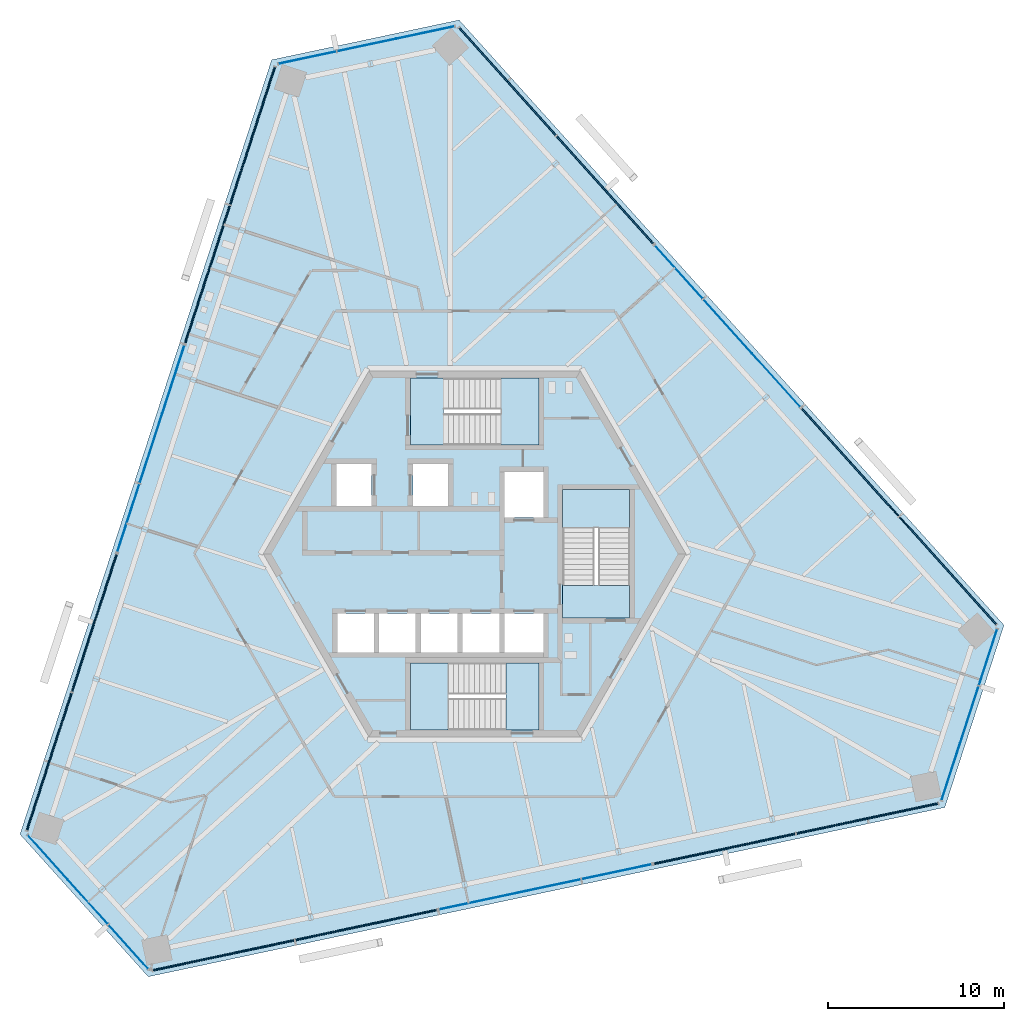
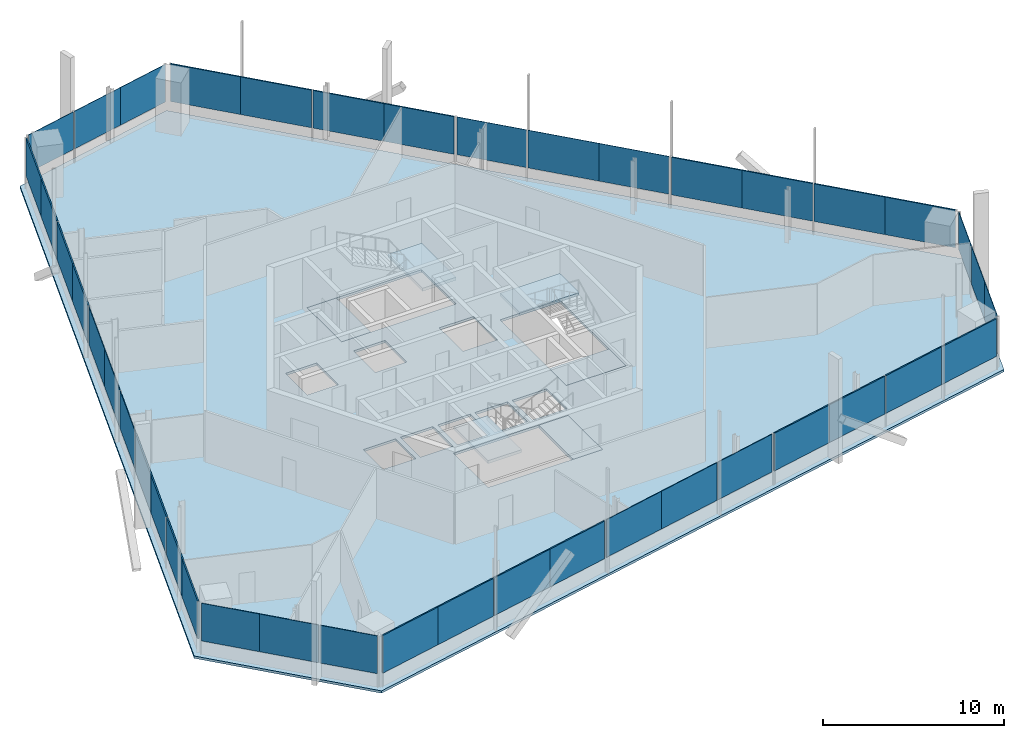
# One storey, part 8 of 16: 42 plates, 7 slabs, 15 elements without a shape of their own.
"""IFC4 building model written with IfcOpenShell, lengths in metres."""

from ifc_helpers import new_model, si_unit, direction, frame, origin, origin_2d, place, context, subcontext, project, spatial, polyline, rectangle, outline, extrude, source, transform, mapped, material, layer, layer_set, type_object, element, aggregate, save


model = new_model("IFC4")

# Units and contexts
model_context = context("Model", 3, precision=1e-05, world=origin(), true_north=direction((0.0, 1.0)))
body_context = subcontext(model_context, "Body", "Model", "MODEL_VIEW")
ifc_project = project(units=[si_unit("LENGTHUNIT", "METRE"), si_unit("AREAUNIT", "SQUARE_METRE"), si_unit("VOLUMEUNIT", "CUBIC_METRE"), si_unit("PLANEANGLEUNIT", "RADIAN"), si_unit("MASSUNIT", "GRAM", prefix="KILO")], contexts=[model_context])

# Site, building, storey
site_placement = place(None, origin())
site = spatial("IfcSite", under=ifc_project, at=site_placement, CompositionType="ELEMENT")
building_placement = place(site_placement, origin())
building = spatial("IfcBuilding", under=site, at=building_placement, Name="Triune Harvest Tower", CompositionType="ELEMENT")
storey_placement = place(building_placement, frame((0.0, 0.0, 266.699951171875)))
storey = spatial("IfcBuildingStorey", under=building, at=storey_placement, Name="L70", CompositionType="ELEMENT", Elevation=266.699951171875)

# Slab
ifc_material_1 = material(Name="Concrete 40 MPa", Category="concrete")
ifc_layer_1 = layer(ifc_material_1, 0.159912109375)
ifc_layer_set_1 = layer_set([ifc_layer_1], Name="Concrete 40 MPa")
slab_type_1 = type_object("IfcSlabType", Name="SL-1 Composite floor slab 160", PredefinedType="FLOOR", material=ifc_layer_set_1)
shared_shape_1 = source(origin(), body_context, "Body", "SweptSolid", [
    extrude(outline(polyline([(30.05810546875, -4.04638671875), (-0.88232421875, 30.31640625), (-11.524658203125, 28.054443359375), (-25.813720703125, -15.922607421875), (-18.533447265625, -24.0078125), (26.696044921875, -14.39404296875), (30.05810546875, -4.04638671875)]), holes=[polyline([(-5.72509765625, -5.590087890625), (-5.72509765625, -3.389892578125), (-7.800048828125, -3.389892578125), (-7.800048828125, -5.590087890625), (-5.72509765625, -5.590087890625)]), polyline([(-3.35009765625, -5.590087890625), (-3.35009765625, -3.389892578125), (-5.425048828125, -3.389892578125), (-5.425048828125, -5.590087890625), (-3.35009765625, -5.590087890625)]), polyline([(-0.97509765625, -5.590087890625), (-0.97509765625, -3.389892578125), (-3.050048828125, -3.389892578125), (-3.050048828125, -5.590087890625), (-0.97509765625, -5.590087890625)]), polyline([(1.39990234375, -5.590087890625), (1.39990234375, -3.389892578125), (-0.675048828125, -3.389892578125), (-0.675048828125, -5.590087890625), (1.39990234375, -5.590087890625)]), polyline([(3.89990234375, 2.06005859375), (3.89990234375, 4.659912109375), (1.699951171875, 4.659912109375), (1.699951171875, 2.06005859375), (3.89990234375, 2.06005859375)]), polyline([(3.89990234375, -5.590087890625), (3.89990234375, -3.389892578125), (1.699951171875, -3.389892578125), (1.699951171875, -5.590087890625), (3.89990234375, -5.590087890625)]), polyline([(-5.85009765625, 2.7099609375), (-5.85009765625, 5.110107421875), (-7.85009765625, 5.110107421875), (-7.85009765625, 2.7099609375), (-5.85009765625, 2.7099609375)]), polyline([(-1.5, 2.7099609375), (-1.5, 5.110107421875), (-3.5, 5.110107421875), (-3.5, 2.7099609375), (-1.5, 2.7099609375)]), polyline([(3.64990234375, 6.18994140625), (3.64990234375, 9.989990234375), (-3.64990234375, 9.989990234375), (-3.64990234375, 6.18994140625), (3.64990234375, 6.18994140625)]), polyline([(3.64990234375, -9.989990234375), (3.64990234375, -6.18994140625), (-3.64990234375, -6.18994140625), (-3.64990234375, -9.989990234375), (3.64990234375, -9.989990234375)]), polyline([(8.800048828125, -3.64990234375), (8.800048828125, 3.64990234375), (5.0, 3.64990234375), (5.0, -3.64990234375), (8.800048828125, -3.64990234375)])]), origin(), (0.0, 0.0, 1.0), 0.159912109375),
])
slab_1_placement = place(storey_placement, frame((0.0, 0.0, -0.159912109375)))
element("IfcSlab", 1, at=slab_1_placement, inside=storey, type_object=slab_type_1, Name="slab/L70/1", PredefinedType="FLOOR", context=body_context, shape_type="MappedRepresentation", body=[
    mapped(shared_shape_1, transform((0.0, 0.0, 0.0), scale=1.0)),
])

# Stair, slabs
ifc_material_2 = material(Name="Concrete 40 MPa", Category="concrete")
stair_type = type_object("IfcStairType", Name="Exit stair 1800 half turn", PredefinedType="HALF_TURN_STAIR", material=ifc_material_2)
stair_1_placement = place(storey_placement, origin())
stair_1 = element("IfcStair", 2, at=stair_1_placement, inside=storey, type_object=stair_type, Name="Exit stair north", PredefinedType="HALF_TURN_STAIR")
ifc_material_3 = material(Name="Concrete 40 MPa", Category="concrete")
ifc_layer_2 = layer(ifc_material_3, 0.199951171875)
ifc_layer_set_2 = layer_set([ifc_layer_2], Name="Concrete 40 MPa")
slab_type_2 = type_object("IfcSlabType", Name="Stair landing 200", PredefinedType="LANDING", material=ifc_layer_set_2)
shared_shape_2 = source(origin(), body_context, "Body", "SweptSolid", [
    extrude(outline(polyline([(1.510009765625, 6.18994140625), (3.64990234375, 6.18994140625), (3.64990234375, 9.989990234375), (1.510009765625, 9.989990234375), (1.510009765625, 6.18994140625)])), origin(), (0.0, 0.0, 1.0), 0.199951171875),
])
slab_2_placement = place(storey_placement, frame((0.0, 0.0, 1.60009765625)))
slab_2 = element("IfcSlab", 3, at=slab_2_placement, type_object=slab_type_2, Name="ST-1 landing 2", PredefinedType="LANDING", context=body_context, shape_type="MappedRepresentation", body=[
    mapped(shared_shape_2, transform((0.0, 0.0, 0.0), scale=1.0)),
])
shared_shape_3 = source(origin(), body_context, "Body", "SweptSolid", [
    extrude(outline(polyline([(-3.64990234375, 6.18994140625), (-1.780029296875, 6.18994140625), (-1.780029296875, 9.989990234375), (-3.64990234375, 9.989990234375), (-3.64990234375, 6.18994140625)])), origin(), (0.0, 0.0, 1.0), 0.199951171875),
])
slab_3_placement = place(storey_placement, frame((0.0, 0.0, -0.199951171875)))
slab_3 = element("IfcSlab", 4, at=slab_3_placement, type_object=slab_type_2, Name="ST-1 landing 1", PredefinedType="LANDING", context=body_context, shape_type="MappedRepresentation", body=[
    mapped(shared_shape_3, transform((0.0, 0.0, 0.0), scale=1.0)),
])
aggregate(stair_1, [slab_3, slab_2])

stair_2_placement = place(storey_placement, origin())
stair_2 = element("IfcStair", 5, at=stair_2_placement, inside=storey, type_object=stair_type, Name="Exit stair south", PredefinedType="HALF_TURN_STAIR")
shared_shape_4 = source(origin(), body_context, "Body", "SweptSolid", [
    extrude(outline(polyline([(-1.510009765625, -6.18994140625), (-3.64990234375, -6.18994140625), (-3.64990234375, -9.989990234375), (-1.510009765625, -9.989990234375), (-1.510009765625, -6.18994140625)])), origin(), (0.0, 0.0, 1.0), 0.199951171875),
])
slab_4_placement = place(storey_placement, frame((0.0, 0.0, 1.60009765625)))
slab_4 = element("IfcSlab", 6, at=slab_4_placement, type_object=slab_type_2, Name="ST-2 landing 2", PredefinedType="LANDING", context=body_context, shape_type="MappedRepresentation", body=[
    mapped(shared_shape_4, transform((0.0, 0.0, 0.0), scale=1.0)),
])
shared_shape_5 = source(origin(), body_context, "Body", "SweptSolid", [
    extrude(outline(polyline([(3.64990234375, -6.18994140625), (1.780029296875, -6.18994140625), (1.780029296875, -9.989990234375), (3.64990234375, -9.989990234375), (3.64990234375, -6.18994140625)])), origin(), (0.0, 0.0, 1.0), 0.199951171875),
])
slab_5_placement = place(storey_placement, frame((0.0, 0.0, -0.199951171875)))
slab_5 = element("IfcSlab", 7, at=slab_5_placement, type_object=slab_type_2, Name="ST-2 landing 1", PredefinedType="LANDING", context=body_context, shape_type="MappedRepresentation", body=[
    mapped(shared_shape_5, transform((0.0, 0.0, 0.0), scale=1.0)),
])
aggregate(stair_2, [slab_5, slab_4])

stair_3_placement = place(storey_placement, origin())
stair_3 = element("IfcStair", 8, at=stair_3_placement, inside=storey, type_object=stair_type, Name="Exit stair east", PredefinedType="HALF_TURN_STAIR")
shared_shape_6 = source(origin(), body_context, "Body", "SweptSolid", [
    extrude(outline(polyline([(8.800048828125, 1.510009765625), (8.800048828125, 3.64990234375), (5.0, 3.64990234375), (5.0, 1.510009765625), (8.800048828125, 1.510009765625)])), origin(), (0.0, 0.0, 1.0), 0.199951171875),
])
slab_6_placement = place(storey_placement, frame((0.0, 0.0, 1.60009765625)))
slab_6 = element("IfcSlab", 9, at=slab_6_placement, type_object=slab_type_2, Name="ST-3 landing 2", PredefinedType="LANDING", context=body_context, shape_type="MappedRepresentation", body=[
    mapped(shared_shape_6, transform((0.0, 0.0, 0.0), scale=1.0)),
])
shared_shape_7 = source(origin(), body_context, "Body", "SweptSolid", [
    extrude(outline(polyline([(8.800048828125, -3.64990234375), (8.800048828125, -1.780029296875), (5.0, -1.780029296875), (5.0, -3.64990234375), (8.800048828125, -3.64990234375)])), origin(), (0.0, 0.0, 1.0), 0.199951171875),
])
slab_7_placement = place(storey_placement, frame((0.0, 0.0, -0.199951171875)))
slab_7 = element("IfcSlab", 10, at=slab_7_placement, type_object=slab_type_2, Name="ST-3 landing 1", PredefinedType="LANDING", context=body_context, shape_type="MappedRepresentation", body=[
    mapped(shared_shape_7, transform((0.0, 0.0, 0.0), scale=1.0)),
])
aggregate(stair_3, [slab_7, slab_6])

# Curtain wall, plate
ifc_material_4 = material(Name="Aluminium bronze anodised", Category="aluminium")
curtain_wall_type_1 = type_object("IfcCurtainWallType", Name="CW-1 Tower stick curtain wall", PredefinedType="NOTDEFINED", material=ifc_material_4)
curtain_wall_1_placement = place(storey_placement, origin())
curtain_wall_1 = element("IfcCurtainWall", 11, at=curtain_wall_1_placement, inside=storey, type_object=curtain_wall_type_1, Name="CW-1 B7-F2 L70 run 1")
ifc_material_5 = material(Name="Glass", Category="glass")
ifc_layer_3 = layer(ifc_material_5, 0.031982421875)
ifc_layer_set_3 = layer_set([ifc_layer_3], Name="Glass")
plate_type_1 = type_object("IfcPlateType", Name="GL-1 panel 32", PredefinedType="CURTAIN_PANEL", material=ifc_layer_set_3)
shared_shape_8 = source(origin(), body_context, "Body", "SweptSolid", [
    extrude(rectangle(XDim=3.376220703125, YDim=0.031982421875, at=origin_2d()), origin(), (0.0, 0.0, 1.0), 2.5400390625),
])
plate_1_placement = place(storey_placement, frame((-2.802001953125, 29.601806640625, 0.900146484375), z_axis=(0.0, 0.0, 1.0), x_axis=(-0.978149078297, -0.207904739307, 0.0)))
plate_1 = element("IfcPlate", 12, at=plate_1_placement, type_object=plate_type_1, Name="CW-1 panel B7-F2 1.1", PredefinedType="CURTAIN_PANEL", context=body_context, shape_type="MappedRepresentation", body=[
    mapped(shared_shape_8, transform((0.0, 0.0, 0.0), scale=1.0)),
])

curtain_wall_2_placement = place(storey_placement, origin())
curtain_wall_2 = element("IfcCurtainWall", 13, at=curtain_wall_2_placement, inside=storey, type_object=curtain_wall_type_1, Name="CW-1 B7-F4 L70 run 1")
plate_2_placement = place(storey_placement, frame((-24.23486328125, -17.2275390625, 0.900146484375), z_axis=(0.0, 0.0, 1.0), x_axis=(0.669132031472, -0.743143542297, 0.0)))
plate_2 = element("IfcPlate", 14, at=plate_2_placement, type_object=plate_type_1, Name="CW-1 panel B7-F4 1.1", PredefinedType="CURTAIN_PANEL", context=body_context, shape_type="MappedRepresentation", body=[
    mapped(shared_shape_8, transform((0.0, 0.0, 0.0), scale=1.0)),
])

curtain_wall_3_placement = place(storey_placement, origin())
curtain_wall_3 = element("IfcCurtainWall", 15, at=curtain_wall_3_placement, inside=storey, type_object=curtain_wall_type_1, Name="CW-1 B7-F6 L70 run 1")
plate_3_placement = place(storey_placement, frame((27.036865234375, -12.374267578125, 0.900146484375), z_axis=(0.0, 0.0, 1.0), x_axis=(0.309018882717, 0.951055902733, 0.0)))
plate_3 = element("IfcPlate", 16, at=plate_3_placement, type_object=plate_type_1, Name="CW-1 panel B7-F6 1.1", PredefinedType="CURTAIN_PANEL", context=body_context, shape_type="MappedRepresentation", body=[
    mapped(shared_shape_8, transform((0.0, 0.0, 0.0), scale=1.0)),
])

# Plate
shared_shape_9 = source(origin(), body_context, "Body", "SweptSolid", [
    extrude(rectangle(XDim=3.413818359375, YDim=0.031982421875, at=origin_2d()), origin(), (0.0, 0.0, 1.0), 2.5400390625),
])
plate_4_placement = place(storey_placement, frame((-6.122802734375, 28.89599609375, 0.900146484375), z_axis=(0.0, 0.0, 1.0), x_axis=(-0.978149078297, -0.207904739307, 0.0)))
plate_4 = element("IfcPlate", 17, at=plate_4_placement, type_object=plate_type_1, Name="CW-1 panel B7-F2 1.2", PredefinedType="CURTAIN_PANEL", context=body_context, shape_type="MappedRepresentation", body=[
    mapped(shared_shape_9, transform((0.0, 0.0, 0.0), scale=1.0)),
])

plate_5_placement = place(storey_placement, frame((28.0859375, -9.145263671875, 0.900146484375), z_axis=(0.0, 0.0, 1.0), x_axis=(0.309018882717, 0.951055902733, 0.0)))
plate_5 = element("IfcPlate", 18, at=plate_5_placement, type_object=plate_type_1, Name="CW-1 panel B7-F6 1.2", PredefinedType="CURTAIN_PANEL", context=body_context, shape_type="MappedRepresentation", body=[
    mapped(shared_shape_9, transform((0.0, 0.0, 0.0), scale=1.0)),
])

shared_shape_10 = source(origin(), body_context, "Body", "SweptSolid", [
    extrude(rectangle(XDim=3.338623046875, YDim=0.031982421875, at=origin_2d()), origin(), (0.0, 0.0, 1.0), 2.5400390625),
])
plate_6_placement = place(storey_placement, frame((-9.49853515625, 28.178466796875, 0.900146484375), z_axis=(0.0, 0.0, 1.0), x_axis=(-0.978149078297, -0.207904739307, 0.0)))
plate_6 = element("IfcPlate", 19, at=plate_6_placement, type_object=plate_type_1, Name="CW-1 panel B7-F2 1.3", PredefinedType="CURTAIN_PANEL", context=body_context, shape_type="MappedRepresentation", body=[
    mapped(shared_shape_10, transform((0.0, 0.0, 0.0), scale=1.0)),
])

aggregate(curtain_wall_1, [plate_1, plate_4, plate_6])

plate_7_placement = place(storey_placement, frame((-19.65380859375, -22.315185546875, 0.900146484375), z_axis=(0.0, 0.0, 1.0), x_axis=(0.669132031472, -0.743143542297, 0.0)))
plate_7 = element("IfcPlate", 20, at=plate_7_placement, type_object=plate_type_1, Name="CW-1 panel B7-F4 1.3", PredefinedType="CURTAIN_PANEL", context=body_context, shape_type="MappedRepresentation", body=[
    mapped(shared_shape_10, transform((0.0, 0.0, 0.0), scale=1.0)),
])

plate_8_placement = place(storey_placement, frame((29.152587890625, -5.863037109375, 0.900146484375), z_axis=(0.0, 0.0, 1.0), x_axis=(0.309018882717, 0.951055902733, 0.0)))
plate_8 = element("IfcPlate", 21, at=plate_8_placement, type_object=plate_type_1, Name="CW-1 panel B7-F6 1.3", PredefinedType="CURTAIN_PANEL", context=body_context, shape_type="MappedRepresentation", body=[
    mapped(shared_shape_10, transform((0.0, 0.0, 0.0), scale=1.0)),
])

aggregate(curtain_wall_3, [plate_3, plate_5, plate_8])

shared_shape_11 = source(origin(), body_context, "Body", "SweptSolid", [
    extrude(rectangle(XDim=3.41357421875, YDim=0.031982421875, at=origin_2d()), origin(), (0.0, 0.0, 1.0), 2.5400390625),
])
plate_9_placement = place(storey_placement, frame((-21.963134765625, -19.75048828125, 0.900146484375), z_axis=(0.0, 0.0, 1.0), x_axis=(0.669132031472, -0.743143542297, 0.0)))
plate_9 = element("IfcPlate", 22, at=plate_9_placement, type_object=plate_type_1, Name="CW-1 panel B7-F4 1.2", PredefinedType="CURTAIN_PANEL", context=body_context, shape_type="MappedRepresentation", body=[
    mapped(shared_shape_11, transform((0.0, 0.0, 0.0), scale=1.0)),
])

aggregate(curtain_wall_2, [plate_2, plate_9, plate_7])

# Curtain wall, plates
ifc_material_6 = material(Name="Aluminium bronze anodised", Category="aluminium")
curtain_wall_type_2 = type_object("IfcCurtainWallType", Name="CW-7 Tower stick curtain wall with insulated spandrel infill", PredefinedType="NOTDEFINED", material=ifc_material_6)
curtain_wall_4_placement = place(storey_placement, origin())
curtain_wall_4 = element("IfcCurtainWall", 23, at=curtain_wall_4_placement, inside=storey, type_object=curtain_wall_type_2, Name="CW-7 B7-F1 L70 run 1")
ifc_material_7 = material(Name="Insulated spandrel panel, bronze aluminium pan", Category="aluminium")
ifc_layer_4 = layer(ifc_material_7, 0.080078125)
ifc_layer_set_4 = layer_set([ifc_layer_4], Name="Insulated spandrel panel, bronze aluminium pan")
plate_type_2 = type_object("IfcPlateType", Name="SP-1 insulated spandrel panel 80", PredefinedType="CURTAIN_PANEL", material=ifc_layer_set_4)
shared_shape_12 = source(origin(), body_context, "Body", "SweptSolid", [
    extrude(rectangle(XDim=4.080810546875, YDim=0.080078125, at=origin_2d()), origin(), (0.0, 0.0, 1.0), 2.5400390625),
])
plate_10_placement = place(storey_placement, frame((28.24365234375, -2.4794921875, 0.900146484375), z_axis=(0.0, 0.0, 1.0), x_axis=(-0.66913398018, 0.743141787662, 0.0)))
plate_10 = element("IfcPlate", 24, at=plate_10_placement, type_object=plate_type_2, Name="CW-7 panel B7-F1 1.1", PredefinedType="CURTAIN_PANEL", context=body_context, shape_type="MappedRepresentation", body=[
    mapped(shared_shape_12, transform((0.0, 0.0, 0.0), scale=1.0)),
])
plate_11_placement = place(storey_placement, frame((19.95166015625, 6.729736328125, 0.900146484375), z_axis=(0.0, 0.0, 1.0), x_axis=(-0.66913398018, 0.743141787662, 0.0)))
plate_11 = element("IfcPlate", 25, at=plate_11_placement, type_object=plate_type_2, Name="CW-7 panel B7-F1 1.4", PredefinedType="CURTAIN_PANEL", context=body_context, shape_type="MappedRepresentation", body=[
    mapped(shared_shape_12, transform((0.0, 0.0, 0.0), scale=1.0)),
])

curtain_wall_5_placement = place(storey_placement, origin())
curtain_wall_5 = element("IfcCurtainWall", 26, at=curtain_wall_5_placement, inside=storey, type_object=curtain_wall_type_2, Name="CW-7 B7-F1 L70 run 2001")
plate_12_placement = place(storey_placement, frame((8.7783203125, 19.138916015625, 0.900146484375), z_axis=(0.0, 0.0, 1.0), x_axis=(-0.66913398018, 0.743141787662, 0.0)))
plate_12 = element("IfcPlate", 27, at=plate_12_placement, type_object=plate_type_2, Name="CW-7 panel B7-F1 2001.1", PredefinedType="CURTAIN_PANEL", context=body_context, shape_type="MappedRepresentation", body=[
    mapped(shared_shape_12, transform((0.0, 0.0, 0.0), scale=1.0)),
])
plate_13_placement = place(storey_placement, frame((0.486328125, 28.34814453125, 0.900146484375), z_axis=(0.0, 0.0, 1.0), x_axis=(-0.66913398018, 0.743141787662, 0.0)))
plate_13 = element("IfcPlate", 28, at=plate_13_placement, type_object=plate_type_2, Name="CW-7 panel B7-F1 2001.4", PredefinedType="CURTAIN_PANEL", context=body_context, shape_type="MappedRepresentation", body=[
    mapped(shared_shape_12, transform((0.0, 0.0, 0.0), scale=1.0)),
])

curtain_wall_6_placement = place(storey_placement, origin())
curtain_wall_6 = element("IfcCurtainWall", 29, at=curtain_wall_6_placement, inside=storey, type_object=curtain_wall_type_2, Name="CW-7 B7-F3 L70 run 1")
plate_14_placement = place(storey_placement, frame((-11.974365234375, 25.699462890625, 0.900146484375), z_axis=(0.0, 0.0, 1.0), x_axis=(-0.309013539626, -0.951057638804, 0.0)))
plate_14 = element("IfcPlate", 30, at=plate_14_placement, type_object=plate_type_2, Name="CW-7 panel B7-F3 1.1", PredefinedType="CURTAIN_PANEL", context=body_context, shape_type="MappedRepresentation", body=[
    mapped(shared_shape_12, transform((0.0, 0.0, 0.0), scale=1.0)),
])
plate_15_placement = place(storey_placement, frame((-15.8037109375, 13.91357421875, 0.900146484375), z_axis=(0.0, 0.0, 1.0), x_axis=(-0.309013539626, -0.951057638804, 0.0)))
plate_15 = element("IfcPlate", 31, at=plate_15_placement, type_object=plate_type_2, Name="CW-7 panel B7-F3 1.4", PredefinedType="CURTAIN_PANEL", context=body_context, shape_type="MappedRepresentation", body=[
    mapped(shared_shape_12, transform((0.0, 0.0, 0.0), scale=1.0)),
])

curtain_wall_7_placement = place(storey_placement, origin())
curtain_wall_7 = element("IfcCurtainWall", 32, at=curtain_wall_7_placement, inside=storey, type_object=curtain_wall_type_2, Name="CW-7 B7-F3 L70 run 2001")
plate_16_placement = place(storey_placement, frame((-20.9638671875, -1.96728515625, 0.900146484375), z_axis=(0.0, 0.0, 1.0), x_axis=(-0.309013539626, -0.951057638804, 0.0)))
plate_16 = element("IfcPlate", 33, at=plate_16_placement, type_object=plate_type_2, Name="CW-7 panel B7-F3 2001.1", PredefinedType="CURTAIN_PANEL", context=body_context, shape_type="MappedRepresentation", body=[
    mapped(shared_shape_12, transform((0.0, 0.0, 0.0), scale=1.0)),
])
plate_17_placement = place(storey_placement, frame((-24.793212890625, -13.7529296875, 0.900146484375), z_axis=(0.0, 0.0, 1.0), x_axis=(-0.309013539626, -0.951057638804, 0.0)))
plate_17 = element("IfcPlate", 34, at=plate_17_placement, type_object=plate_type_2, Name="CW-7 panel B7-F3 2001.4", PredefinedType="CURTAIN_PANEL", context=body_context, shape_type="MappedRepresentation", body=[
    mapped(shared_shape_12, transform((0.0, 0.0, 0.0), scale=1.0)),
])

curtain_wall_8_placement = place(storey_placement, origin())
curtain_wall_8 = element("IfcCurtainWall", 35, at=curtain_wall_8_placement, inside=storey, type_object=curtain_wall_type_2, Name="CW-7 B7-F5 L70 run 1")
plate_18_placement = place(storey_placement, frame((-16.269287109375, -23.219970703125, 0.900146484375), z_axis=(0.0, 0.0, 1.0), x_axis=(0.978148253388, 0.2079086203, 0.0)))
plate_18 = element("IfcPlate", 36, at=plate_18_placement, type_object=plate_type_2, Name="CW-7 panel B7-F5 1.1", PredefinedType="CURTAIN_PANEL", context=body_context, shape_type="MappedRepresentation", body=[
    mapped(shared_shape_12, transform((0.0, 0.0, 0.0), scale=1.0)),
])
plate_19_placement = place(storey_placement, frame((-4.147705078125, -20.643310546875, 0.900146484375), z_axis=(0.0, 0.0, 1.0), x_axis=(0.978148253388, 0.2079086203, 0.0)))
plate_19 = element("IfcPlate", 37, at=plate_19_placement, type_object=plate_type_2, Name="CW-7 panel B7-F5 1.4", PredefinedType="CURTAIN_PANEL", context=body_context, shape_type="MappedRepresentation", body=[
    mapped(shared_shape_12, transform((0.0, 0.0, 0.0), scale=1.0)),
])

curtain_wall_9_placement = place(storey_placement, origin())
curtain_wall_9 = element("IfcCurtainWall", 38, at=curtain_wall_9_placement, inside=storey, type_object=curtain_wall_type_2, Name="CW-7 B7-F5 L70 run 2001")
plate_20_placement = place(storey_placement, frame((12.185546875, -17.171630859375, 0.900146484375), z_axis=(0.0, 0.0, 1.0), x_axis=(0.978148253388, 0.2079086203, 0.0)))
plate_20 = element("IfcPlate", 39, at=plate_20_placement, type_object=plate_type_2, Name="CW-7 panel B7-F5 2001.1", PredefinedType="CURTAIN_PANEL", context=body_context, shape_type="MappedRepresentation", body=[
    mapped(shared_shape_12, transform((0.0, 0.0, 0.0), scale=1.0)),
])
plate_21_placement = place(storey_placement, frame((24.30712890625, -14.59521484375, 0.900146484375), z_axis=(0.0, 0.0, 1.0), x_axis=(0.978148253388, 0.2079086203, 0.0)))
plate_21 = element("IfcPlate", 40, at=plate_21_placement, type_object=plate_type_2, Name="CW-7 panel B7-F5 2001.4", PredefinedType="CURTAIN_PANEL", context=body_context, shape_type="MappedRepresentation", body=[
    mapped(shared_shape_12, transform((0.0, 0.0, 0.0), scale=1.0)),
])

# Plate
shared_shape_13 = source(origin(), body_context, "Body", "SweptSolid", [
    extrude(rectangle(XDim=4.1181640625, YDim=0.080078125, at=origin_2d()), origin(), (0.0, 0.0, 1.0), 2.5400390625),
])
plate_22_placement = place(storey_placement, frame((25.50048828125, 0.56689453125, 0.900146484375), z_axis=(0.0, 0.0, 1.0), x_axis=(-0.66913398018, 0.743141787662, 0.0)))
plate_22 = element("IfcPlate", 41, at=plate_22_placement, type_object=plate_type_2, Name="CW-7 panel B7-F1 1.2", PredefinedType="CURTAIN_PANEL", context=body_context, shape_type="MappedRepresentation", body=[
    mapped(shared_shape_13, transform((0.0, 0.0, 0.0), scale=1.0)),
])

plate_23_placement = place(storey_placement, frame((22.69482421875, 3.68310546875, 0.900146484375), z_axis=(0.0, 0.0, 1.0), x_axis=(-0.66913398018, 0.743141787662, 0.0)))
plate_23 = element("IfcPlate", 42, at=plate_23_placement, type_object=plate_type_2, Name="CW-7 panel B7-F1 1.3", PredefinedType="CURTAIN_PANEL", context=body_context, shape_type="MappedRepresentation", body=[
    mapped(shared_shape_13, transform((0.0, 0.0, 0.0), scale=1.0)),
])

aggregate(curtain_wall_4, [plate_10, plate_22, plate_23, plate_11])

plate_24_placement = place(storey_placement, frame((6.035400390625, 22.185302734375, 0.900146484375), z_axis=(0.0, 0.0, 1.0), x_axis=(-0.66913398018, 0.743141787662, 0.0)))
plate_24 = element("IfcPlate", 43, at=plate_24_placement, type_object=plate_type_2, Name="CW-7 panel B7-F1 2001.2", PredefinedType="CURTAIN_PANEL", context=body_context, shape_type="MappedRepresentation", body=[
    mapped(shared_shape_13, transform((0.0, 0.0, 0.0), scale=1.0)),
])

plate_25_placement = place(storey_placement, frame((3.2294921875, 25.301513671875, 0.900146484375), z_axis=(0.0, 0.0, 1.0), x_axis=(-0.66913398018, 0.743141787662, 0.0)))
plate_25 = element("IfcPlate", 44, at=plate_25_placement, type_object=plate_type_2, Name="CW-7 panel B7-F1 2001.3", PredefinedType="CURTAIN_PANEL", context=body_context, shape_type="MappedRepresentation", body=[
    mapped(shared_shape_13, transform((0.0, 0.0, 0.0), scale=1.0)),
])

aggregate(curtain_wall_5, [plate_12, plate_24, plate_25, plate_13])

plate_26_placement = place(storey_placement, frame((-12.25927734375, -22.367431640625, 0.900146484375), z_axis=(0.0, 0.0, 1.0), x_axis=(0.978148253388, 0.2079086203, 0.0)))
plate_26 = element("IfcPlate", 45, at=plate_26_placement, type_object=plate_type_2, Name="CW-7 panel B7-F5 1.2", PredefinedType="CURTAIN_PANEL", context=body_context, shape_type="MappedRepresentation", body=[
    mapped(shared_shape_13, transform((0.0, 0.0, 0.0), scale=1.0)),
])

plate_27_placement = place(storey_placement, frame((-8.15771484375, -21.495849609375, 0.900146484375), z_axis=(0.0, 0.0, 1.0), x_axis=(0.978148253388, 0.2079086203, 0.0)))
plate_27 = element("IfcPlate", 46, at=plate_27_placement, type_object=plate_type_2, Name="CW-7 panel B7-F5 1.3", PredefinedType="CURTAIN_PANEL", context=body_context, shape_type="MappedRepresentation", body=[
    mapped(shared_shape_13, transform((0.0, 0.0, 0.0), scale=1.0)),
])

aggregate(curtain_wall_8, [plate_18, plate_26, plate_27, plate_19])

plate_28_placement = place(storey_placement, frame((16.195556640625, -16.3193359375, 0.900146484375), z_axis=(0.0, 0.0, 1.0), x_axis=(0.978148253388, 0.2079086203, 0.0)))
plate_28 = element("IfcPlate", 47, at=plate_28_placement, type_object=plate_type_2, Name="CW-7 panel B7-F5 2001.2", PredefinedType="CURTAIN_PANEL", context=body_context, shape_type="MappedRepresentation", body=[
    mapped(shared_shape_13, transform((0.0, 0.0, 0.0), scale=1.0)),
])

plate_29_placement = place(storey_placement, frame((20.297119140625, -15.447509765625, 0.900146484375), z_axis=(0.0, 0.0, 1.0), x_axis=(0.978148253388, 0.2079086203, 0.0)))
plate_29 = element("IfcPlate", 48, at=plate_29_placement, type_object=plate_type_2, Name="CW-7 panel B7-F5 2001.3", PredefinedType="CURTAIN_PANEL", context=body_context, shape_type="MappedRepresentation", body=[
    mapped(shared_shape_13, transform((0.0, 0.0, 0.0), scale=1.0)),
])

aggregate(curtain_wall_9, [plate_20, plate_28, plate_29, plate_21])

# Curtain wall, plate
curtain_wall_10_placement = place(storey_placement, origin())
curtain_wall_10 = element("IfcCurtainWall", 49, at=curtain_wall_10_placement, inside=storey, type_object=curtain_wall_type_1, Name="CW-1 B7-F1 L70 run 1001")
shared_shape_14 = source(origin(), body_context, "Body", "SweptSolid", [
    extrude(rectangle(XDim=4.080810546875, YDim=0.031982421875, at=origin_2d()), origin(), (0.0, 0.0, 1.0), 2.5400390625),
])
plate_30_placement = place(storey_placement, frame((17.12060546875, 9.873779296875, 0.900146484375), z_axis=(0.0, 0.0, 1.0), x_axis=(-0.66912469222, 0.743150150549, 0.0)))
plate_30 = element("IfcPlate", 50, at=plate_30_placement, type_object=plate_type_1, Name="CW-1 panel B7-F1 1001.1", PredefinedType="CURTAIN_PANEL", context=body_context, shape_type="MappedRepresentation", body=[
    mapped(shared_shape_14, transform((0.0, 0.0, 0.0), scale=1.0)),
])

curtain_wall_11_placement = place(storey_placement, origin())
curtain_wall_11 = element("IfcCurtainWall", 51, at=curtain_wall_11_placement, inside=storey, type_object=curtain_wall_type_1, Name="CW-1 B7-F3 L70 run 1001")
plate_31_placement = place(storey_placement, frame((-17.111083984375, 9.889892578125, 0.900146484375), z_axis=(0.0, 0.0, 1.0), x_axis=(-0.309023862696, -0.951054284615, 0.0)))
plate_31 = element("IfcPlate", 52, at=plate_31_placement, type_object=plate_type_1, Name="CW-1 panel B7-F3 1001.1", PredefinedType="CURTAIN_PANEL", context=body_context, shape_type="MappedRepresentation", body=[
    mapped(shared_shape_14, transform((0.0, 0.0, 0.0), scale=1.0)),
])

curtain_wall_12_placement = place(storey_placement, origin())
curtain_wall_12 = element("IfcCurtainWall", 53, at=curtain_wall_12_placement, inside=storey, type_object=curtain_wall_type_1, Name="CW-1 B7-F5 L70 run 1001")
plate_32_placement = place(storey_placement, frame((-0.009521484375, -19.763671875, 0.900146484375), z_axis=(0.0, 0.0, 1.0), x_axis=(0.978146414344, 0.207917272266, 0.0)))
plate_32 = element("IfcPlate", 54, at=plate_32_placement, type_object=plate_type_1, Name="CW-1 panel B7-F5 1001.1", PredefinedType="CURTAIN_PANEL", context=body_context, shape_type="MappedRepresentation", body=[
    mapped(shared_shape_14, transform((0.0, 0.0, 0.0), scale=1.0)),
])

# Plate
shared_shape_15 = source(origin(), body_context, "Body", "SweptSolid", [
    extrude(rectangle(XDim=4.1181640625, YDim=0.031982421875, at=origin_2d()), origin(), (0.0, 0.0, 1.0), 2.5400390625),
])
plate_33_placement = place(storey_placement, frame((14.37744140625, 12.92041015625, 0.900146484375), z_axis=(0.0, 0.0, 1.0), x_axis=(-0.66912469222, 0.743150150549, 0.0)))
plate_33 = element("IfcPlate", 55, at=plate_33_placement, type_object=plate_type_1, Name="CW-1 panel B7-F1 1001.2", PredefinedType="CURTAIN_PANEL", context=body_context, shape_type="MappedRepresentation", body=[
    mapped(shared_shape_15, transform((0.0, 0.0, 0.0), scale=1.0)),
])

plate_34_placement = place(storey_placement, frame((-18.378173828125, 5.990966796875, 0.900146484375), z_axis=(0.0, 0.0, 1.0), x_axis=(-0.309023862696, -0.951054284615, 0.0)))
plate_34 = element("IfcPlate", 56, at=plate_34_placement, type_object=plate_type_1, Name="CW-1 panel B7-F3 1001.2", PredefinedType="CURTAIN_PANEL", context=body_context, shape_type="MappedRepresentation", body=[
    mapped(shared_shape_15, transform((0.0, 0.0, 0.0), scale=1.0)),
])

shared_shape_16 = source(origin(), body_context, "Body", "SweptSolid", [
    extrude(rectangle(XDim=4.043212890625, YDim=0.031982421875, at=origin_2d()), origin(), (0.0, 0.0, 1.0), 2.5400390625),
])
plate_35_placement = place(storey_placement, frame((11.596923828125, 16.0087890625, 0.900146484375), z_axis=(0.0, 0.0, 1.0), x_axis=(-0.66912469222, 0.743150150549, 0.0)))
plate_35 = element("IfcPlate", 57, at=plate_35_placement, type_object=plate_type_1, Name="CW-1 panel B7-F1 1001.3", PredefinedType="CURTAIN_PANEL", context=body_context, shape_type="MappedRepresentation", body=[
    mapped(shared_shape_16, transform((0.0, 0.0, 0.0), scale=1.0)),
])

aggregate(curtain_wall_10, [plate_30, plate_33, plate_35])

plate_36_placement = place(storey_placement, frame((-19.662353515625, 2.038818359375, 0.900146484375), z_axis=(0.0, 0.0, 1.0), x_axis=(-0.309023862696, -0.951054284615, 0.0)))
plate_36 = element("IfcPlate", 58, at=plate_36_placement, type_object=plate_type_1, Name="CW-1 panel B7-F3 1001.3", PredefinedType="CURTAIN_PANEL", context=body_context, shape_type="MappedRepresentation", body=[
    mapped(shared_shape_16, transform((0.0, 0.0, 0.0), scale=1.0)),
])

aggregate(curtain_wall_11, [plate_31, plate_34, plate_36])

plate_37_placement = place(storey_placement, frame((8.065673828125, -18.04736328125, 0.900146484375), z_axis=(0.0, 0.0, 1.0), x_axis=(0.978146414344, 0.207917272266, 0.0)))
plate_37 = element("IfcPlate", 59, at=plate_37_placement, type_object=plate_type_1, Name="CW-1 panel B7-F5 1001.3", PredefinedType="CURTAIN_PANEL", context=body_context, shape_type="MappedRepresentation", body=[
    mapped(shared_shape_16, transform((0.0, 0.0, 0.0), scale=1.0)),
])

shared_shape_17 = source(origin(), body_context, "Body", "SweptSolid", [
    extrude(rectangle(XDim=4.118408203125, YDim=0.080078125, at=origin_2d()), origin(), (0.0, 0.0, 1.0), 2.5400390625),
])
plate_38_placement = place(storey_placement, frame((-13.2412109375, 21.800537109375, 0.900146484375), z_axis=(0.0, 0.0, 1.0), x_axis=(-0.309013539626, -0.951057638804, 0.0)))
plate_38 = element("IfcPlate", 60, at=plate_38_placement, type_object=plate_type_2, Name="CW-7 panel B7-F3 1.2", PredefinedType="CURTAIN_PANEL", context=body_context, shape_type="MappedRepresentation", body=[
    mapped(shared_shape_17, transform((0.0, 0.0, 0.0), scale=1.0)),
])

plate_39_placement = place(storey_placement, frame((-14.537109375, 17.8125, 0.900146484375), z_axis=(0.0, 0.0, 1.0), x_axis=(-0.309013539626, -0.951057638804, 0.0)))
plate_39 = element("IfcPlate", 61, at=plate_39_placement, type_object=plate_type_2, Name="CW-7 panel B7-F3 1.3", PredefinedType="CURTAIN_PANEL", context=body_context, shape_type="MappedRepresentation", body=[
    mapped(shared_shape_17, transform((0.0, 0.0, 0.0), scale=1.0)),
])

aggregate(curtain_wall_6, [plate_14, plate_38, plate_39, plate_15])

plate_40_placement = place(storey_placement, frame((-22.230712890625, -5.865966796875, 0.900146484375), z_axis=(0.0, 0.0, 1.0), x_axis=(-0.309013539626, -0.951057638804, 0.0)))
plate_40 = element("IfcPlate", 62, at=plate_40_placement, type_object=plate_type_2, Name="CW-7 panel B7-F3 2001.2", PredefinedType="CURTAIN_PANEL", context=body_context, shape_type="MappedRepresentation", body=[
    mapped(shared_shape_17, transform((0.0, 0.0, 0.0), scale=1.0)),
])

plate_41_placement = place(storey_placement, frame((-23.5263671875, -9.854248046875, 0.900146484375), z_axis=(0.0, 0.0, 1.0), x_axis=(-0.309013539626, -0.951057638804, 0.0)))
plate_41 = element("IfcPlate", 63, at=plate_41_placement, type_object=plate_type_2, Name="CW-7 panel B7-F3 2001.3", PredefinedType="CURTAIN_PANEL", context=body_context, shape_type="MappedRepresentation", body=[
    mapped(shared_shape_17, transform((0.0, 0.0, 0.0), scale=1.0)),
])

aggregate(curtain_wall_7, [plate_16, plate_40, plate_41, plate_17])

shared_shape_18 = source(origin(), body_context, "Body", "SweptSolid", [
    extrude(rectangle(XDim=4.118408203125, YDim=0.031982421875, at=origin_2d()), origin(), (0.0, 0.0, 1.0), 2.5400390625),
])
plate_42_placement = place(storey_placement, frame((4.00048828125, -18.911376953125, 0.900146484375), z_axis=(0.0, 0.0, 1.0), x_axis=(0.978146414344, 0.207917272266, 0.0)))
plate_42 = element("IfcPlate", 64, at=plate_42_placement, type_object=plate_type_1, Name="CW-1 panel B7-F5 1001.2", PredefinedType="CURTAIN_PANEL", context=body_context, shape_type="MappedRepresentation", body=[
    mapped(shared_shape_18, transform((0.0, 0.0, 0.0), scale=1.0)),
])

aggregate(curtain_wall_12, [plate_32, plate_42, plate_37])

save(model, "model.ifc")
